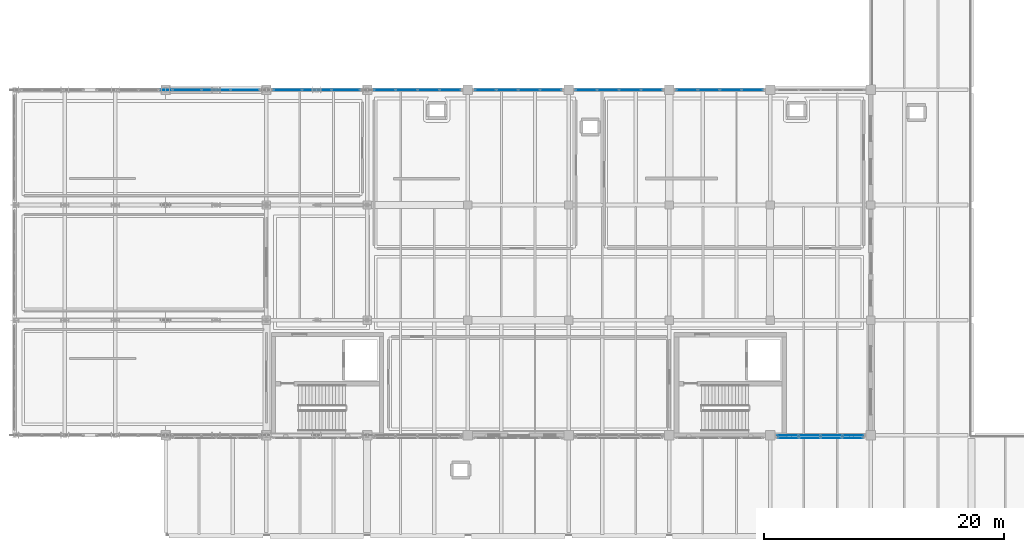
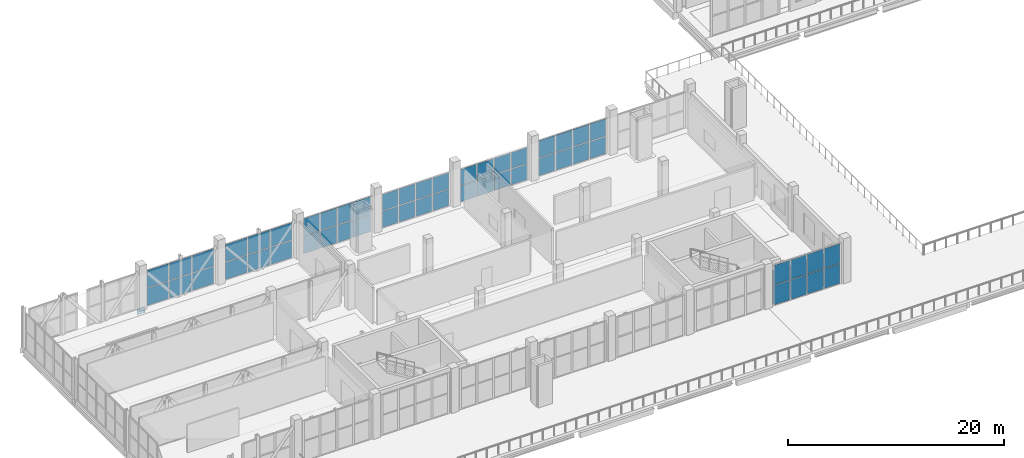
# One storey, part 52 of 77: 61 plates, 8 elements without a shape of their own.
"""IFC4 building model written with IfcOpenShell, lengths in metres."""

from ifc_helpers import new_model, si_unit, direction, frame, origin, origin_2d, place, context, subcontext, project, spatial, rectangle, extrude, material, layer, layer_set, type_object, element, aggregate, save


model = new_model("IFC4")

# Units and contexts
model_context = context("Model", 3, precision=1e-05, world=origin(), true_north=direction((0.0, 1.0)))
body_context = subcontext(model_context, "Body", "Model", "MODEL_VIEW")
ifc_project = project(units=[si_unit("LENGTHUNIT", "METRE"), si_unit("AREAUNIT", "SQUARE_METRE"), si_unit("VOLUMEUNIT", "CUBIC_METRE"), si_unit("PLANEANGLEUNIT", "RADIAN"), si_unit("MASSUNIT", "GRAM", prefix="KILO")], contexts=[model_context])

# Site, building, storey
site_placement = place(None, origin())
site = spatial("IfcSite", under=ifc_project, at=site_placement, CompositionType="ELEMENT")
building_placement = place(site_placement, origin())
building = spatial("IfcBuilding", under=site, at=building_placement, Name="Zulmaris Art Gallery", CompositionType="ELEMENT")
storey_placement = place(building_placement, frame((0.0, 0.0, 15.60009765625)))
storey = spatial("IfcBuildingStorey", under=building, at=storey_placement, Name="L03", CompositionType="ELEMENT", Elevation=15.60009765625)

# Curtain wall, plates
ifc_material_1 = material(Name="Unitised Low-E Gallery Curtain Wall", Category="aluminium")
ifc_layer_1 = layer(ifc_material_1, 0.179931640625)
ifc_layer_set_1 = layer_set([ifc_layer_1], Name="Unitised Low-E Gallery Curtain Wall")
curtain_wall_type_1 = type_object("IfcCurtainWallType", Name="CW-CW01", PredefinedType="NOTDEFINED", material=ifc_layer_set_1)
curtain_wall_1_placement = place(storey_placement, origin())
curtain_wall_1 = element("IfcCurtainWall", 1, at=curtain_wall_1_placement, inside=storey, type_object=curtain_wall_type_1, Name="L03 curtain wall 6", PredefinedType="NOTDEFINED")
ifc_material_2 = material(Name="Triple Solar-Control Laminated Glass", Category="glass")
ifc_layer_2 = layer(ifc_material_2, 0.035888671875)
ifc_layer_set_2 = layer_set([ifc_layer_2], Name="Triple Solar-Control Laminated Glass")
plate_type_1 = type_object("IfcPlateType", Name="CWPAN-GLZ", PredefinedType="CURTAIN_PANEL", material=ifc_layer_set_2)
plate_1_placement = place(storey_placement, frame((30.621337890625, 50.39990234375, 0.074951171875), z_axis=(0.0, 0.0, 1.0), x_axis=(-1.0, 0.0, 0.0)))
plate_1 = element("IfcPlate", 2, at=plate_1_placement, type_object=plate_type_1, Name="CW01 panel 1.1", PredefinedType="CURTAIN_PANEL", context=body_context, shape_type="SweptSolid", body=[
    extrude(rectangle(XDim=2.327392578125, YDim=0.031982421875, at=origin_2d()), origin(), (0.0, 0.0, 1.0), 1.9423828125),
])
plate_2_placement = place(storey_placement, frame((30.621337890625, 50.39990234375, 2.092529296875), z_axis=(0.0, 0.0, 1.0), x_axis=(-1.0, 0.0, 0.0)))
plate_2 = element("IfcPlate", 3, at=plate_2_placement, type_object=plate_type_1, Name="CW01 panel 1.2", PredefinedType="CURTAIN_PANEL", context=body_context, shape_type="SweptSolid", body=[
    extrude(rectangle(XDim=2.327392578125, YDim=0.031982421875, at=origin_2d()), origin(), (0.0, 0.0, 1.0), 1.9423828125),
])
plate_3_placement = place(storey_placement, frame((28.199951171875, 50.39990234375, 0.074951171875), z_axis=(0.0, 0.0, 1.0), x_axis=(-1.0, 0.0, 0.0)))
plate_3 = element("IfcPlate", 4, at=plate_3_placement, type_object=plate_type_1, Name="CW01 panel 2.1", PredefinedType="CURTAIN_PANEL", context=body_context, shape_type="SweptSolid", body=[
    extrude(rectangle(XDim=2.364990234375, YDim=0.031982421875, at=origin_2d()), origin(), (0.0, 0.0, 1.0), 1.9423828125),
])
plate_4_placement = place(storey_placement, frame((28.199951171875, 50.39990234375, 2.092529296875), z_axis=(0.0, 0.0, 1.0), x_axis=(-1.0, 0.0, 0.0)))
plate_4 = element("IfcPlate", 5, at=plate_4_placement, type_object=plate_type_1, Name="CW01 panel 2.2", PredefinedType="CURTAIN_PANEL", context=body_context, shape_type="SweptSolid", body=[
    extrude(rectangle(XDim=2.364990234375, YDim=0.031982421875, at=origin_2d()), origin(), (0.0, 0.0, 1.0), 1.9423828125),
])
plate_5_placement = place(storey_placement, frame((25.77880859375, 50.39990234375, 0.074951171875), z_axis=(0.0, 0.0, 1.0), x_axis=(-1.0, 0.0, 0.0)))
plate_5 = element("IfcPlate", 6, at=plate_5_placement, type_object=plate_type_1, Name="CW01 panel 3.1", PredefinedType="CURTAIN_PANEL", context=body_context, shape_type="SweptSolid", body=[
    extrude(rectangle(XDim=2.327392578125, YDim=0.031982421875, at=origin_2d()), origin(), (0.0, 0.0, 1.0), 1.9423828125),
])
plate_6_placement = place(storey_placement, frame((25.77880859375, 50.39990234375, 2.092529296875), z_axis=(0.0, 0.0, 1.0), x_axis=(-1.0, 0.0, 0.0)))
plate_6 = element("IfcPlate", 7, at=plate_6_placement, type_object=plate_type_1, Name="CW01 panel 3.2", PredefinedType="CURTAIN_PANEL", context=body_context, shape_type="SweptSolid", body=[
    extrude(rectangle(XDim=2.327392578125, YDim=0.031982421875, at=origin_2d()), origin(), (0.0, 0.0, 1.0), 1.9423828125),
])
aggregate(curtain_wall_1, [plate_1, plate_2, plate_3, plate_4, plate_5, plate_6])

curtain_wall_2_placement = place(storey_placement, origin())
curtain_wall_2 = element("IfcCurtainWall", 8, at=curtain_wall_2_placement, inside=storey, type_object=curtain_wall_type_1, Name="L03 curtain wall 7", PredefinedType="NOTDEFINED")
plate_7_placement = place(storey_placement, frame((39.021240234375, 50.39990234375, 0.07470703125), z_axis=(0.0, 0.0, 1.0), x_axis=(-1.0, 0.0, 0.0)))
plate_7 = element("IfcPlate", 9, at=plate_7_placement, type_object=plate_type_1, Name="CW01 panel 1.1", PredefinedType="CURTAIN_PANEL", context=body_context, shape_type="SweptSolid", body=[
    extrude(rectangle(XDim=2.327392578125, YDim=0.031982421875, at=origin_2d()), origin(), (0.0, 0.0, 1.0), 1.947509765625),
])
plate_8_placement = place(storey_placement, frame((39.021240234375, 50.39990234375, 2.09716796875), z_axis=(0.0, 0.0, 1.0), x_axis=(-1.0, 0.0, 0.0)))
plate_8 = element("IfcPlate", 10, at=plate_8_placement, type_object=plate_type_1, Name="CW01 panel 1.2", PredefinedType="CURTAIN_PANEL", context=body_context, shape_type="SweptSolid", body=[
    extrude(rectangle(XDim=2.327392578125, YDim=0.031982421875, at=origin_2d()), origin(), (0.0, 0.0, 1.0), 1.947509765625),
])
plate_9_placement = place(storey_placement, frame((36.60009765625, 50.39990234375, 0.07470703125), z_axis=(0.0, 0.0, 1.0), x_axis=(-1.0, 0.0, 0.0)))
plate_9 = element("IfcPlate", 11, at=plate_9_placement, type_object=plate_type_1, Name="CW01 panel 2.1", PredefinedType="CURTAIN_PANEL", context=body_context, shape_type="SweptSolid", body=[
    extrude(rectangle(XDim=2.364990234375, YDim=0.031982421875, at=origin_2d()), origin(), (0.0, 0.0, 1.0), 1.947509765625),
])
plate_10_placement = place(storey_placement, frame((36.60009765625, 50.39990234375, 2.09716796875), z_axis=(0.0, 0.0, 1.0), x_axis=(-1.0, 0.0, 0.0)))
plate_10 = element("IfcPlate", 12, at=plate_10_placement, type_object=plate_type_1, Name="CW01 panel 2.2", PredefinedType="CURTAIN_PANEL", context=body_context, shape_type="SweptSolid", body=[
    extrude(rectangle(XDim=2.364990234375, YDim=0.031982421875, at=origin_2d()), origin(), (0.0, 0.0, 1.0), 1.947509765625),
])
plate_11_placement = place(storey_placement, frame((34.1787109375, 50.39990234375, 0.07470703125), z_axis=(0.0, 0.0, 1.0), x_axis=(-1.0, 0.0, 0.0)))
plate_11 = element("IfcPlate", 13, at=plate_11_placement, type_object=plate_type_1, Name="CW01 panel 3.1", PredefinedType="CURTAIN_PANEL", context=body_context, shape_type="SweptSolid", body=[
    extrude(rectangle(XDim=2.327392578125, YDim=0.031982421875, at=origin_2d()), origin(), (0.0, 0.0, 1.0), 1.947509765625),
])
plate_12_placement = place(storey_placement, frame((34.1787109375, 50.39990234375, 2.09716796875), z_axis=(0.0, 0.0, 1.0), x_axis=(-1.0, 0.0, 0.0)))
plate_12 = element("IfcPlate", 14, at=plate_12_placement, type_object=plate_type_1, Name="CW01 panel 3.2", PredefinedType="CURTAIN_PANEL", context=body_context, shape_type="SweptSolid", body=[
    extrude(rectangle(XDim=2.327392578125, YDim=0.031982421875, at=origin_2d()), origin(), (0.0, 0.0, 1.0), 1.947509765625),
])
aggregate(curtain_wall_2, [plate_7, plate_8, plate_9, plate_10, plate_11, plate_12])

curtain_wall_3_placement = place(storey_placement, origin())
curtain_wall_3 = element("IfcCurtainWall", 15, at=curtain_wall_3_placement, inside=storey, type_object=curtain_wall_type_1, Name="L03 curtain wall 9", PredefinedType="NOTDEFINED")
plate_13_placement = place(storey_placement, frame((47.726318359375, 50.39990234375, 0.07470703125), z_axis=(0.0, 0.0, 1.0), x_axis=(-1.0, 0.0, 0.0)))
plate_13 = element("IfcPlate", 16, at=plate_13_placement, type_object=plate_type_1, Name="CW01 panel 1.1", PredefinedType="CURTAIN_PANEL", context=body_context, shape_type="SweptSolid", body=[
    extrude(rectangle(XDim=1.717529296875, YDim=0.031982421875, at=origin_2d()), origin(), (0.0, 0.0, 1.0), 1.947509765625),
])
plate_14_placement = place(storey_placement, frame((47.726318359375, 50.39990234375, 2.09716796875), z_axis=(0.0, 0.0, 1.0), x_axis=(-1.0, 0.0, 0.0)))
plate_14 = element("IfcPlate", 17, at=plate_14_placement, type_object=plate_type_1, Name="CW01 panel 1.2", PredefinedType="CURTAIN_PANEL", context=body_context, shape_type="SweptSolid", body=[
    extrude(rectangle(XDim=1.717529296875, YDim=0.031982421875, at=origin_2d()), origin(), (0.0, 0.0, 1.0), 1.947509765625),
])
plate_15_placement = place(storey_placement, frame((45.9150390625, 50.39990234375, 0.07470703125), z_axis=(0.0, 0.0, 1.0), x_axis=(-1.0, 0.0, 0.0)))
plate_15 = element("IfcPlate", 18, at=plate_15_placement, type_object=plate_type_1, Name="CW01 panel 2.1", PredefinedType="CURTAIN_PANEL", context=body_context, shape_type="SweptSolid", body=[
    extrude(rectangle(XDim=1.7548828125, YDim=0.031982421875, at=origin_2d()), origin(), (0.0, 0.0, 1.0), 1.947509765625),
])
plate_16_placement = place(storey_placement, frame((45.9150390625, 50.39990234375, 2.09716796875), z_axis=(0.0, 0.0, 1.0), x_axis=(-1.0, 0.0, 0.0)))
plate_16 = element("IfcPlate", 19, at=plate_16_placement, type_object=plate_type_1, Name="CW01 panel 2.2", PredefinedType="CURTAIN_PANEL", context=body_context, shape_type="SweptSolid", body=[
    extrude(rectangle(XDim=1.7548828125, YDim=0.031982421875, at=origin_2d()), origin(), (0.0, 0.0, 1.0), 1.947509765625),
])
plate_17_placement = place(storey_placement, frame((44.0849609375, 50.39990234375, 0.07470703125), z_axis=(0.0, 0.0, 1.0), x_axis=(-1.0, 0.0, 0.0)))
plate_17 = element("IfcPlate", 20, at=plate_17_placement, type_object=plate_type_1, Name="CW01 panel 3.1", PredefinedType="CURTAIN_PANEL", context=body_context, shape_type="SweptSolid", body=[
    extrude(rectangle(XDim=1.7548828125, YDim=0.031982421875, at=origin_2d()), origin(), (0.0, 0.0, 1.0), 1.947509765625),
])
plate_18_placement = place(storey_placement, frame((44.0849609375, 50.39990234375, 2.09716796875), z_axis=(0.0, 0.0, 1.0), x_axis=(-1.0, 0.0, 0.0)))
plate_18 = element("IfcPlate", 21, at=plate_18_placement, type_object=plate_type_1, Name="CW01 panel 3.2", PredefinedType="CURTAIN_PANEL", context=body_context, shape_type="SweptSolid", body=[
    extrude(rectangle(XDim=1.7548828125, YDim=0.031982421875, at=origin_2d()), origin(), (0.0, 0.0, 1.0), 1.947509765625),
])
plate_19_placement = place(storey_placement, frame((42.273681640625, 50.39990234375, 0.07470703125), z_axis=(0.0, 0.0, 1.0), x_axis=(-1.0, 0.0, 0.0)))
plate_19 = element("IfcPlate", 22, at=plate_19_placement, type_object=plate_type_1, Name="CW01 panel 4.1", PredefinedType="CURTAIN_PANEL", context=body_context, shape_type="SweptSolid", body=[
    extrude(rectangle(XDim=1.717529296875, YDim=0.031982421875, at=origin_2d()), origin(), (0.0, 0.0, 1.0), 1.947509765625),
])
plate_20_placement = place(storey_placement, frame((42.273681640625, 50.39990234375, 2.09716796875), z_axis=(0.0, 0.0, 1.0), x_axis=(-1.0, 0.0, 0.0)))
plate_20 = element("IfcPlate", 23, at=plate_20_placement, type_object=plate_type_1, Name="CW01 panel 4.2", PredefinedType="CURTAIN_PANEL", context=body_context, shape_type="SweptSolid", body=[
    extrude(rectangle(XDim=1.717529296875, YDim=0.031982421875, at=origin_2d()), origin(), (0.0, 0.0, 1.0), 1.947509765625),
])
aggregate(curtain_wall_3, [plate_13, plate_14, plate_15, plate_16, plate_17, plate_18, plate_19, plate_20])

curtain_wall_4_placement = place(storey_placement, origin())
curtain_wall_4 = element("IfcCurtainWall", 24, at=curtain_wall_4_placement, inside=storey, type_object=curtain_wall_type_1, Name="L03 curtain wall 10", PredefinedType="NOTDEFINED")
plate_21_placement = place(storey_placement, frame((56.126220703125, 50.39990234375, 0.07470703125), z_axis=(0.0, 0.0, 1.0), x_axis=(-1.0, 0.0, 0.0)))
plate_21 = element("IfcPlate", 25, at=plate_21_placement, type_object=plate_type_1, Name="CW01 panel 1.1", PredefinedType="CURTAIN_PANEL", context=body_context, shape_type="SweptSolid", body=[
    extrude(rectangle(XDim=1.717529296875, YDim=0.031982421875, at=origin_2d()), origin(), (0.0, 0.0, 1.0), 1.842529296875),
])
plate_22_placement = place(storey_placement, frame((56.126220703125, 50.39990234375, 1.9921875), z_axis=(0.0, 0.0, 1.0), x_axis=(-1.0, 0.0, 0.0)))
plate_22 = element("IfcPlate", 26, at=plate_22_placement, type_object=plate_type_1, Name="CW01 panel 1.2", PredefinedType="CURTAIN_PANEL", context=body_context, shape_type="SweptSolid", body=[
    extrude(rectangle(XDim=1.717529296875, YDim=0.031982421875, at=origin_2d()), origin(), (0.0, 0.0, 1.0), 1.842529296875),
])
plate_23_placement = place(storey_placement, frame((54.31494140625, 50.39990234375, 0.07470703125), z_axis=(0.0, 0.0, 1.0), x_axis=(-1.0, 0.0, 0.0)))
plate_23 = element("IfcPlate", 27, at=plate_23_placement, type_object=plate_type_1, Name="CW01 panel 2.1", PredefinedType="CURTAIN_PANEL", context=body_context, shape_type="SweptSolid", body=[
    extrude(rectangle(XDim=1.7548828125, YDim=0.031982421875, at=origin_2d()), origin(), (0.0, 0.0, 1.0), 1.842529296875),
])
plate_24_placement = place(storey_placement, frame((54.31494140625, 50.39990234375, 1.9921875), z_axis=(0.0, 0.0, 1.0), x_axis=(-1.0, 0.0, 0.0)))
plate_24 = element("IfcPlate", 28, at=plate_24_placement, type_object=plate_type_1, Name="CW01 panel 2.2", PredefinedType="CURTAIN_PANEL", context=body_context, shape_type="SweptSolid", body=[
    extrude(rectangle(XDim=1.7548828125, YDim=0.031982421875, at=origin_2d()), origin(), (0.0, 0.0, 1.0), 1.842529296875),
])
plate_25_placement = place(storey_placement, frame((52.485107421875, 50.39990234375, 0.07470703125), z_axis=(0.0, 0.0, 1.0), x_axis=(-1.0, 0.0, 0.0)))
plate_25 = element("IfcPlate", 29, at=plate_25_placement, type_object=plate_type_1, Name="CW01 panel 3.1", PredefinedType="CURTAIN_PANEL", context=body_context, shape_type="SweptSolid", body=[
    extrude(rectangle(XDim=1.7548828125, YDim=0.031982421875, at=origin_2d()), origin(), (0.0, 0.0, 1.0), 1.842529296875),
])
plate_26_placement = place(storey_placement, frame((52.485107421875, 50.39990234375, 1.9921875), z_axis=(0.0, 0.0, 1.0), x_axis=(-1.0, 0.0, 0.0)))
plate_26 = element("IfcPlate", 30, at=plate_26_placement, type_object=plate_type_1, Name="CW01 panel 3.2", PredefinedType="CURTAIN_PANEL", context=body_context, shape_type="SweptSolid", body=[
    extrude(rectangle(XDim=1.7548828125, YDim=0.031982421875, at=origin_2d()), origin(), (0.0, 0.0, 1.0), 1.842529296875),
])
plate_27_placement = place(storey_placement, frame((50.673828125, 50.39990234375, 0.07470703125), z_axis=(0.0, 0.0, 1.0), x_axis=(-1.0, 0.0, 0.0)))
plate_27 = element("IfcPlate", 31, at=plate_27_placement, type_object=plate_type_1, Name="CW01 panel 4.1", PredefinedType="CURTAIN_PANEL", context=body_context, shape_type="SweptSolid", body=[
    extrude(rectangle(XDim=1.717529296875, YDim=0.031982421875, at=origin_2d()), origin(), (0.0, 0.0, 1.0), 1.842529296875),
])
plate_28_placement = place(storey_placement, frame((50.673828125, 50.39990234375, 1.9921875), z_axis=(0.0, 0.0, 1.0), x_axis=(-1.0, 0.0, 0.0)))
plate_28 = element("IfcPlate", 32, at=plate_28_placement, type_object=plate_type_1, Name="CW01 panel 4.2", PredefinedType="CURTAIN_PANEL", context=body_context, shape_type="SweptSolid", body=[
    extrude(rectangle(XDim=1.717529296875, YDim=0.031982421875, at=origin_2d()), origin(), (0.0, 0.0, 1.0), 1.842529296875),
])
aggregate(curtain_wall_4, [plate_21, plate_22, plate_23, plate_24, plate_25, plate_26, plate_27, plate_28])

curtain_wall_5_placement = place(storey_placement, origin())
curtain_wall_5 = element("IfcCurtainWall", 33, at=curtain_wall_5_placement, inside=storey, type_object=curtain_wall_type_1, Name="L03 curtain wall 12", PredefinedType="NOTDEFINED")
plate_29_placement = place(storey_placement, frame((64.5263671875, 50.39990234375, 0.074951171875), z_axis=(0.0, 0.0, 1.0), x_axis=(-1.0, 0.0, 0.0)))
plate_29 = element("IfcPlate", 34, at=plate_29_placement, type_object=plate_type_1, Name="CW01 panel 1.1", PredefinedType="CURTAIN_PANEL", context=body_context, shape_type="SweptSolid", body=[
    extrude(rectangle(XDim=1.717529296875, YDim=0.031982421875, at=origin_2d()), origin(), (0.0, 0.0, 1.0), 1.79248046875),
])
plate_30_placement = place(storey_placement, frame((64.5263671875, 50.39990234375, 1.9423828125), z_axis=(0.0, 0.0, 1.0), x_axis=(-1.0, 0.0, 0.0)))
plate_30 = element("IfcPlate", 35, at=plate_30_placement, type_object=plate_type_1, Name="CW01 panel 1.2", PredefinedType="CURTAIN_PANEL", context=body_context, shape_type="SweptSolid", body=[
    extrude(rectangle(XDim=1.717529296875, YDim=0.031982421875, at=origin_2d()), origin(), (0.0, 0.0, 1.0), 1.79248046875),
])
plate_31_placement = place(storey_placement, frame((62.715087890625, 50.39990234375, 0.074951171875), z_axis=(0.0, 0.0, 1.0), x_axis=(-1.0, 0.0, 0.0)))
plate_31 = element("IfcPlate", 36, at=plate_31_placement, type_object=plate_type_1, Name="CW01 panel 2.1", PredefinedType="CURTAIN_PANEL", context=body_context, shape_type="SweptSolid", body=[
    extrude(rectangle(XDim=1.7548828125, YDim=0.031982421875, at=origin_2d()), origin(), (0.0, 0.0, 1.0), 1.79248046875),
])
plate_32_placement = place(storey_placement, frame((62.715087890625, 50.39990234375, 1.9423828125), z_axis=(0.0, 0.0, 1.0), x_axis=(-1.0, 0.0, 0.0)))
plate_32 = element("IfcPlate", 37, at=plate_32_placement, type_object=plate_type_1, Name="CW01 panel 2.2", PredefinedType="CURTAIN_PANEL", context=body_context, shape_type="SweptSolid", body=[
    extrude(rectangle(XDim=1.7548828125, YDim=0.031982421875, at=origin_2d()), origin(), (0.0, 0.0, 1.0), 1.79248046875),
])
plate_33_placement = place(storey_placement, frame((60.885009765625, 50.39990234375, 0.074951171875), z_axis=(0.0, 0.0, 1.0), x_axis=(-1.0, 0.0, 0.0)))
plate_33 = element("IfcPlate", 38, at=plate_33_placement, type_object=plate_type_1, Name="CW01 panel 3.1", PredefinedType="CURTAIN_PANEL", context=body_context, shape_type="SweptSolid", body=[
    extrude(rectangle(XDim=1.7548828125, YDim=0.031982421875, at=origin_2d()), origin(), (0.0, 0.0, 1.0), 1.79248046875),
])
plate_34_placement = place(storey_placement, frame((60.885009765625, 50.39990234375, 1.9423828125), z_axis=(0.0, 0.0, 1.0), x_axis=(-1.0, 0.0, 0.0)))
plate_34 = element("IfcPlate", 39, at=plate_34_placement, type_object=plate_type_1, Name="CW01 panel 3.2", PredefinedType="CURTAIN_PANEL", context=body_context, shape_type="SweptSolid", body=[
    extrude(rectangle(XDim=1.7548828125, YDim=0.031982421875, at=origin_2d()), origin(), (0.0, 0.0, 1.0), 1.79248046875),
])
plate_35_placement = place(storey_placement, frame((59.07373046875, 50.39990234375, 0.074951171875), z_axis=(0.0, 0.0, 1.0), x_axis=(-1.0, 0.0, 0.0)))
plate_35 = element("IfcPlate", 40, at=plate_35_placement, type_object=plate_type_1, Name="CW01 panel 4.1", PredefinedType="CURTAIN_PANEL", context=body_context, shape_type="SweptSolid", body=[
    extrude(rectangle(XDim=1.717529296875, YDim=0.031982421875, at=origin_2d()), origin(), (0.0, 0.0, 1.0), 1.79248046875),
])
plate_36_placement = place(storey_placement, frame((59.07373046875, 50.39990234375, 1.9423828125), z_axis=(0.0, 0.0, 1.0), x_axis=(-1.0, 0.0, 0.0)))
plate_36 = element("IfcPlate", 41, at=plate_36_placement, type_object=plate_type_1, Name="CW01 panel 4.2", PredefinedType="CURTAIN_PANEL", context=body_context, shape_type="SweptSolid", body=[
    extrude(rectangle(XDim=1.717529296875, YDim=0.031982421875, at=origin_2d()), origin(), (0.0, 0.0, 1.0), 1.79248046875),
])
aggregate(curtain_wall_5, [plate_29, plate_30, plate_31, plate_32, plate_33, plate_34, plate_35, plate_36])

curtain_wall_6_placement = place(storey_placement, origin())
curtain_wall_6 = element("IfcCurtainWall", 42, at=curtain_wall_6_placement, inside=storey, type_object=curtain_wall_type_1, Name="L03 curtain wall 13", PredefinedType="NOTDEFINED")
plate_37_placement = place(storey_placement, frame((72.92626953125, 50.39990234375, 0.07470703125), z_axis=(0.0, 0.0, 1.0), x_axis=(-1.0, 0.0, 0.0)))
plate_37 = element("IfcPlate", 43, at=plate_37_placement, type_object=plate_type_1, Name="CW01 panel 1.1", PredefinedType="CURTAIN_PANEL", context=body_context, shape_type="SweptSolid", body=[
    extrude(rectangle(XDim=1.717529296875, YDim=0.031982421875, at=origin_2d()), origin(), (0.0, 0.0, 1.0), 1.947509765625),
])
plate_38_placement = place(storey_placement, frame((72.92626953125, 50.39990234375, 2.09716796875), z_axis=(0.0, 0.0, 1.0), x_axis=(-1.0, 0.0, 0.0)))
plate_38 = element("IfcPlate", 44, at=plate_38_placement, type_object=plate_type_1, Name="CW01 panel 1.2", PredefinedType="CURTAIN_PANEL", context=body_context, shape_type="SweptSolid", body=[
    extrude(rectangle(XDim=1.717529296875, YDim=0.031982421875, at=origin_2d()), origin(), (0.0, 0.0, 1.0), 1.947509765625),
])
plate_39_placement = place(storey_placement, frame((71.114990234375, 50.39990234375, 0.07470703125), z_axis=(0.0, 0.0, 1.0), x_axis=(-1.0, 0.0, 0.0)))
plate_39 = element("IfcPlate", 45, at=plate_39_placement, type_object=plate_type_1, Name="CW01 panel 2.1", PredefinedType="CURTAIN_PANEL", context=body_context, shape_type="SweptSolid", body=[
    extrude(rectangle(XDim=1.7548828125, YDim=0.031982421875, at=origin_2d()), origin(), (0.0, 0.0, 1.0), 1.947509765625),
])
plate_40_placement = place(storey_placement, frame((71.114990234375, 50.39990234375, 2.09716796875), z_axis=(0.0, 0.0, 1.0), x_axis=(-1.0, 0.0, 0.0)))
plate_40 = element("IfcPlate", 46, at=plate_40_placement, type_object=plate_type_1, Name="CW01 panel 2.2", PredefinedType="CURTAIN_PANEL", context=body_context, shape_type="SweptSolid", body=[
    extrude(rectangle(XDim=1.7548828125, YDim=0.031982421875, at=origin_2d()), origin(), (0.0, 0.0, 1.0), 1.947509765625),
])
plate_41_placement = place(storey_placement, frame((69.284912109375, 50.39990234375, 0.07470703125), z_axis=(0.0, 0.0, 1.0), x_axis=(-1.0, 0.0, 0.0)))
plate_41 = element("IfcPlate", 47, at=plate_41_placement, type_object=plate_type_1, Name="CW01 panel 3.1", PredefinedType="CURTAIN_PANEL", context=body_context, shape_type="SweptSolid", body=[
    extrude(rectangle(XDim=1.7548828125, YDim=0.031982421875, at=origin_2d()), origin(), (0.0, 0.0, 1.0), 1.947509765625),
])
plate_42_placement = place(storey_placement, frame((69.284912109375, 50.39990234375, 2.09716796875), z_axis=(0.0, 0.0, 1.0), x_axis=(-1.0, 0.0, 0.0)))
plate_42 = element("IfcPlate", 48, at=plate_42_placement, type_object=plate_type_1, Name="CW01 panel 3.2", PredefinedType="CURTAIN_PANEL", context=body_context, shape_type="SweptSolid", body=[
    extrude(rectangle(XDim=1.7548828125, YDim=0.031982421875, at=origin_2d()), origin(), (0.0, 0.0, 1.0), 1.947509765625),
])
plate_43_placement = place(storey_placement, frame((67.4736328125, 50.39990234375, 0.07470703125), z_axis=(0.0, 0.0, 1.0), x_axis=(-1.0, 0.0, 0.0)))
plate_43 = element("IfcPlate", 49, at=plate_43_placement, type_object=plate_type_1, Name="CW01 panel 4.1", PredefinedType="CURTAIN_PANEL", context=body_context, shape_type="SweptSolid", body=[
    extrude(rectangle(XDim=1.717529296875, YDim=0.031982421875, at=origin_2d()), origin(), (0.0, 0.0, 1.0), 1.947509765625),
])
plate_44_placement = place(storey_placement, frame((67.4736328125, 50.39990234375, 2.09716796875), z_axis=(0.0, 0.0, 1.0), x_axis=(-1.0, 0.0, 0.0)))
plate_44 = element("IfcPlate", 50, at=plate_44_placement, type_object=plate_type_1, Name="CW01 panel 4.2", PredefinedType="CURTAIN_PANEL", context=body_context, shape_type="SweptSolid", body=[
    extrude(rectangle(XDim=1.717529296875, YDim=0.031982421875, at=origin_2d()), origin(), (0.0, 0.0, 1.0), 1.947509765625),
])
aggregate(curtain_wall_6, [plate_37, plate_38, plate_39, plate_40, plate_41, plate_42, plate_43, plate_44])

curtain_wall_7_placement = place(storey_placement, origin())
curtain_wall_7 = element("IfcCurtainWall", 51, at=curtain_wall_7_placement, inside=storey, type_object=curtain_wall_type_1, Name="L03 curtain wall 14", PredefinedType="NOTDEFINED")
plate_45_placement = place(storey_placement, frame((75.873779296875, 21.60009765625, 0.07470703125), z_axis=(0.0, 0.0, 1.0), x_axis=(1.0, 0.0, 0.0)))
plate_45 = element("IfcPlate", 52, at=plate_45_placement, type_object=plate_type_1, Name="CW01 panel 1.1", PredefinedType="CURTAIN_PANEL", context=body_context, shape_type="SweptSolid", body=[
    extrude(rectangle(XDim=1.717529296875, YDim=0.031982421875, at=origin_2d()), origin(), (0.0, 0.0, 1.0), 1.842529296875),
])
plate_46_placement = place(storey_placement, frame((75.873779296875, 21.60009765625, 1.9921875), z_axis=(0.0, 0.0, 1.0), x_axis=(1.0, 0.0, 0.0)))
plate_46 = element("IfcPlate", 53, at=plate_46_placement, type_object=plate_type_1, Name="CW01 panel 1.2", PredefinedType="CURTAIN_PANEL", context=body_context, shape_type="SweptSolid", body=[
    extrude(rectangle(XDim=1.717529296875, YDim=0.031982421875, at=origin_2d()), origin(), (0.0, 0.0, 1.0), 1.842529296875),
])
plate_47_placement = place(storey_placement, frame((77.68505859375, 21.60009765625, 0.07470703125), z_axis=(0.0, 0.0, 1.0), x_axis=(1.0, 0.0, 0.0)))
plate_47 = element("IfcPlate", 54, at=plate_47_placement, type_object=plate_type_1, Name="CW01 panel 2.1", PredefinedType="CURTAIN_PANEL", context=body_context, shape_type="SweptSolid", body=[
    extrude(rectangle(XDim=1.7548828125, YDim=0.031982421875, at=origin_2d()), origin(), (0.0, 0.0, 1.0), 1.842529296875),
])
plate_48_placement = place(storey_placement, frame((77.68505859375, 21.60009765625, 1.9921875), z_axis=(0.0, 0.0, 1.0), x_axis=(1.0, 0.0, 0.0)))
plate_48 = element("IfcPlate", 55, at=plate_48_placement, type_object=plate_type_1, Name="CW01 panel 2.2", PredefinedType="CURTAIN_PANEL", context=body_context, shape_type="SweptSolid", body=[
    extrude(rectangle(XDim=1.7548828125, YDim=0.031982421875, at=origin_2d()), origin(), (0.0, 0.0, 1.0), 1.842529296875),
])
plate_49_placement = place(storey_placement, frame((79.514892578125, 21.60009765625, 0.07470703125), z_axis=(0.0, 0.0, 1.0), x_axis=(1.0, 0.0, 0.0)))
plate_49 = element("IfcPlate", 56, at=plate_49_placement, type_object=plate_type_1, Name="CW01 panel 3.1", PredefinedType="CURTAIN_PANEL", context=body_context, shape_type="SweptSolid", body=[
    extrude(rectangle(XDim=1.7548828125, YDim=0.031982421875, at=origin_2d()), origin(), (0.0, 0.0, 1.0), 1.842529296875),
])
plate_50_placement = place(storey_placement, frame((79.514892578125, 21.60009765625, 1.9921875), z_axis=(0.0, 0.0, 1.0), x_axis=(1.0, 0.0, 0.0)))
plate_50 = element("IfcPlate", 57, at=plate_50_placement, type_object=plate_type_1, Name="CW01 panel 3.2", PredefinedType="CURTAIN_PANEL", context=body_context, shape_type="SweptSolid", body=[
    extrude(rectangle(XDim=1.7548828125, YDim=0.031982421875, at=origin_2d()), origin(), (0.0, 0.0, 1.0), 1.842529296875),
])
plate_51_placement = place(storey_placement, frame((81.326171875, 21.60009765625, 0.07470703125), z_axis=(0.0, 0.0, 1.0), x_axis=(1.0, 0.0, 0.0)))
plate_51 = element("IfcPlate", 58, at=plate_51_placement, type_object=plate_type_1, Name="CW01 panel 4.1", PredefinedType="CURTAIN_PANEL", context=body_context, shape_type="SweptSolid", body=[
    extrude(rectangle(XDim=1.717529296875, YDim=0.031982421875, at=origin_2d()), origin(), (0.0, 0.0, 1.0), 1.842529296875),
])
plate_52_placement = place(storey_placement, frame((81.326171875, 21.60009765625, 1.9921875), z_axis=(0.0, 0.0, 1.0), x_axis=(1.0, 0.0, 0.0)))
plate_52 = element("IfcPlate", 59, at=plate_52_placement, type_object=plate_type_1, Name="CW01 panel 4.2", PredefinedType="CURTAIN_PANEL", context=body_context, shape_type="SweptSolid", body=[
    extrude(rectangle(XDim=1.717529296875, YDim=0.031982421875, at=origin_2d()), origin(), (0.0, 0.0, 1.0), 1.842529296875),
])
aggregate(curtain_wall_7, [plate_45, plate_46, plate_47, plate_48, plate_49, plate_50, plate_51, plate_52])

ifc_material_3 = material(Name="Perforated Bronze Art Deco Mashrabiya Screen", Category="aluminium")
ifc_layer_3 = layer(ifc_material_3, 0.179931640625)
ifc_layer_set_3 = layer_set([ifc_layer_3], Name="Perforated Bronze Art Deco Mashrabiya Screen")
curtain_wall_type_2 = type_object("IfcCurtainWallType", Name="CW-CW06", PredefinedType="USERDEFINED", material=ifc_layer_set_3)
curtain_wall_8_placement = place(storey_placement, origin())
curtain_wall_8 = element("IfcCurtainWall", 60, at=curtain_wall_8_placement, inside=storey, type_object=curtain_wall_type_2, Name="L03 Mashrabiya screen 177", ObjectType="MASHRABIYA SCREEN", PredefinedType="USERDEFINED")
ifc_material_4 = material(Name="Perforated Cast Bronze Chevron Panel", Category="aluminium")
ifc_layer_4 = layer(ifc_material_4, 0.02392578125)
ifc_layer_set_4 = layer_set([ifc_layer_4], Name="Perforated Cast Bronze Chevron Panel")
plate_type_2 = type_object("IfcPlateType", Name="CWPAN-MSH", PredefinedType="CURTAIN_PANEL", material=ifc_layer_set_4)
plate_53_placement = place(storey_placement, frame((75.918701171875, 21.3798828125, 0.074951171875), z_axis=(0.0, 0.0, 1.0), x_axis=(1.0, 0.0, 0.0)))
plate_53 = element("IfcPlate", 61, at=plate_53_placement, type_object=plate_type_2, Name="CW06 panel 1.1", PredefinedType="CURTAIN_PANEL", context=body_context, shape_type="SweptSolid", body=[
    extrude(rectangle(XDim=1.6875, YDim=0.031982421875, at=origin_2d()), origin(), (0.0, 0.0, 1.0), 2.21240234375),
])
plate_54_placement = place(storey_placement, frame((75.918701171875, 21.3798828125, 2.362548828125), z_axis=(0.0, 0.0, 1.0), x_axis=(1.0, 0.0, 0.0)))
plate_54 = element("IfcPlate", 62, at=plate_54_placement, type_object=plate_type_2, Name="CW06 panel 1.2", PredefinedType="CURTAIN_PANEL", context=body_context, shape_type="SweptSolid", body=[
    extrude(rectangle(XDim=1.6875, YDim=0.031982421875, at=origin_2d()), origin(), (0.0, 0.0, 1.0), 2.21240234375),
])
plate_55_placement = place(storey_placement, frame((77.699951171875, 21.3798828125, 0.074951171875), z_axis=(0.0, 0.0, 1.0), x_axis=(1.0, 0.0, 0.0)))
plate_55 = element("IfcPlate", 63, at=plate_55_placement, type_object=plate_type_2, Name="CW06 panel 2.1", PredefinedType="CURTAIN_PANEL", context=body_context, shape_type="SweptSolid", body=[
    extrude(rectangle(XDim=1.72509765625, YDim=0.031982421875, at=origin_2d()), origin(), (0.0, 0.0, 1.0), 2.21240234375),
])
plate_56_placement = place(storey_placement, frame((77.699951171875, 21.3798828125, 2.362548828125), z_axis=(0.0, 0.0, 1.0), x_axis=(1.0, 0.0, 0.0)))
plate_56 = element("IfcPlate", 64, at=plate_56_placement, type_object=plate_type_2, Name="CW06 panel 2.2", PredefinedType="CURTAIN_PANEL", context=body_context, shape_type="SweptSolid", body=[
    extrude(rectangle(XDim=1.72509765625, YDim=0.031982421875, at=origin_2d()), origin(), (0.0, 0.0, 1.0), 2.21240234375),
])
plate_57_placement = place(storey_placement, frame((79.5, 21.3798828125, 0.074951171875), z_axis=(0.0, 0.0, 1.0), x_axis=(1.0, 0.0, 0.0)))
plate_57 = element("IfcPlate", 65, at=plate_57_placement, type_object=plate_type_2, Name="CW06 panel 3.1", PredefinedType="CURTAIN_PANEL", context=body_context, shape_type="SweptSolid", body=[
    extrude(rectangle(XDim=1.72509765625, YDim=0.031982421875, at=origin_2d()), origin(), (0.0, 0.0, 1.0), 2.21240234375),
])
plate_58_placement = place(storey_placement, frame((79.5, 21.3798828125, 2.362548828125), z_axis=(0.0, 0.0, 1.0), x_axis=(1.0, 0.0, 0.0)))
plate_58 = element("IfcPlate", 66, at=plate_58_placement, type_object=plate_type_2, Name="CW06 panel 3.2", PredefinedType="CURTAIN_PANEL", context=body_context, shape_type="SweptSolid", body=[
    extrude(rectangle(XDim=1.72509765625, YDim=0.031982421875, at=origin_2d()), origin(), (0.0, 0.0, 1.0), 2.21240234375),
])
plate_59_placement = place(storey_placement, frame((81.28125, 21.3798828125, 0.074951171875), z_axis=(0.0, 0.0, 1.0), x_axis=(1.0, 0.0, 0.0)))
plate_59 = element("IfcPlate", 67, at=plate_59_placement, type_object=plate_type_2, Name="CW06 panel 4.1", PredefinedType="CURTAIN_PANEL", context=body_context, shape_type="SweptSolid", body=[
    extrude(rectangle(XDim=1.6875, YDim=0.031982421875, at=origin_2d()), origin(), (0.0, 0.0, 1.0), 2.21240234375),
])
plate_60_placement = place(storey_placement, frame((81.28125, 21.3798828125, 2.362548828125), z_axis=(0.0, 0.0, 1.0), x_axis=(1.0, 0.0, 0.0)))
plate_60 = element("IfcPlate", 68, at=plate_60_placement, type_object=plate_type_2, Name="CW06 panel 4.2", PredefinedType="CURTAIN_PANEL", context=body_context, shape_type="SweptSolid", body=[
    extrude(rectangle(XDim=1.6875, YDim=0.031982421875, at=origin_2d()), origin(), (0.0, 0.0, 1.0), 2.21240234375),
])
aggregate(curtain_wall_8, [plate_53, plate_54, plate_55, plate_56, plate_57, plate_58, plate_59, plate_60])

# Plate
ifc_material_5 = material(Name="Steel S355J2", Category="steel")
ifc_layer_5 = layer(ifc_material_5, 0.035888671875)
ifc_layer_set_5 = layer_set([ifc_layer_5], Name="Steel S355J2")
plate_type_3 = type_object("IfcPlateType", Name="PLT-GP04", PredefinedType="USERDEFINED", material=ifc_layer_set_5)
plate_61_placement = place(storey_placement, frame((24.0, 50.39990234375, -0.6259765625), z_axis=(0.0, 0.0, 1.0), x_axis=(1.0, 0.0, 0.0)))
element("IfcPlate", 69, at=plate_61_placement, inside=storey, type_object=plate_type_3, Name="Cantilever truss TR-C4 node gusset 4", ObjectType="GUSSET PLATE", PredefinedType="USERDEFINED", context=body_context, shape_type="SweptSolid", body=[
    extrude(rectangle(XDim=0.840087890625, YDim=0.035888671875, at=origin_2d()), origin(), (0.0, 0.0, 1.0), 0.679931640625),
])

save(model, "model.ifc")
